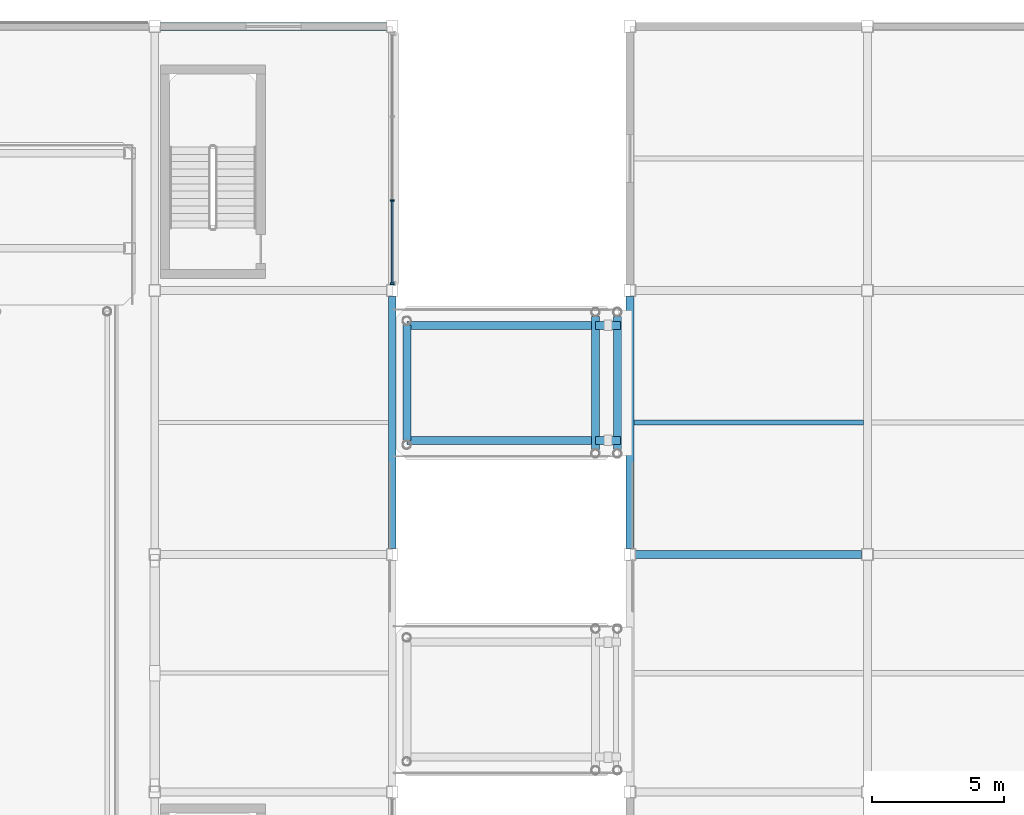
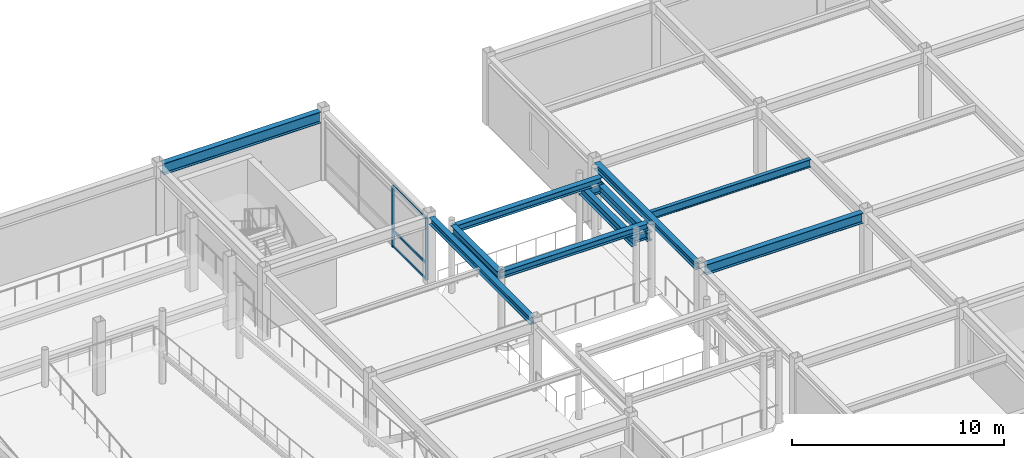
# One storey, part 37 of 105: 12 beams, 5 members, 1 element without a shape of its own.
"""IFC4 building model written with IfcOpenShell, lengths in metres."""

from ifc_helpers import new_model, si_unit, direction, frame, origin, origin_2d, place, context, subcontext, project, spatial, rectangle, i_section, extrude, material, material_profile, profile_set, type_object, element, aggregate, save


model = new_model("IFC4")

# Units and contexts
model_context = context("Model", 3, precision=1e-05, world=origin(), true_north=direction((0.0, 1.0)))
body_context = subcontext(model_context, "Body", "Model", "MODEL_VIEW")
ifc_project = project(units=[si_unit("LENGTHUNIT", "METRE"), si_unit("AREAUNIT", "SQUARE_METRE"), si_unit("VOLUMEUNIT", "CUBIC_METRE"), si_unit("PLANEANGLEUNIT", "RADIAN"), si_unit("MASSUNIT", "GRAM", prefix="KILO")], contexts=[model_context])

# Site, building, storey
site_placement = place(None, origin())
site = spatial("IfcSite", under=ifc_project, at=site_placement, CompositionType="ELEMENT")
building_placement = place(site_placement, origin())
building = spatial("IfcBuilding", under=site, at=building_placement, Name="Suzunagisa Mobility Hub", CompositionType="ELEMENT")
storey_placement = place(building_placement, frame((0.0, 0.0, 5.10009765625)))
storey = spatial("IfcBuildingStorey", under=building, at=storey_placement, Name="L01", CompositionType="ELEMENT", Elevation=5.10009765625)

# Curtain wall, members
ifc_material_1 = material(Name="Thermally Broken Anodized Aluminum and Low-E Glazing", Category="aluminium")
curtain_wall_type = type_object("IfcCurtainWallType", Name="Unitised Curtain Wall CW-03 9500x3600", PredefinedType="USERDEFINED", material=ifc_material_1)
curtain_wall_placement = place(storey_placement, origin())
curtain_wall = element("IfcCurtainWall", 1, at=curtain_wall_placement, inside=storey, type_object=curtain_wall_type, Name="L01 Unitised Curtain Wall CW-57", ObjectType="UNITISED CURTAIN WALL", PredefinedType="USERDEFINED")
ifc_material_2 = material(Name="Anodized Aluminum 6063-T6", Category="aluminium")
ifc_material_profile_1 = material_profile(ifc_material_2, rectangle(XDim=0.06494140625, YDim=0.139892578125, at=origin_2d()), Name="TRAN-65x140")
ifc_profile_set_1 = profile_set([ifc_material_profile_1], Name="Anodized Aluminum 6063-T6")
member_type_1 = type_object("IfcMemberType", Name="Curtain Wall Framing CM-01 TRAN-65x140", PredefinedType="USERDEFINED", material=ifc_profile_set_1)
member_1_placement = place(storey_placement, frame((36.0, 108.282958984375, 0.032470703125), z_axis=(0.0, 1.0, 0.0), x_axis=(-1.0, 0.0, 0.0)))
member_1 = element("IfcMember", 2, at=member_1_placement, type_object=member_type_1, Name="Curtain Wall Transom 57-T1.1", ObjectType="TRANSOM", PredefinedType="USERDEFINED", context=body_context, shape_type="SweptSolid", body=[
    extrude(rectangle(XDim=0.06494140625, YDim=0.139892578125, at=origin_2d()), origin(), (0.0, 0.0, 1.0), 3.097412109375),
])
member_2_placement = place(storey_placement, frame((36.0, 108.282958984375, 0.949951171875), z_axis=(0.0, 1.0, 0.0), x_axis=(-1.0, 0.0, 0.0)))
member_2 = element("IfcMember", 3, at=member_2_placement, type_object=member_type_1, Name="Curtain Wall Transom 57-T1.2", ObjectType="TRANSOM", PredefinedType="USERDEFINED", context=body_context, shape_type="SweptSolid", body=[
    extrude(rectangle(XDim=0.06494140625, YDim=0.139892578125, at=origin_2d()), origin(), (0.0, 0.0, 1.0), 3.097412109375),
])
member_3_placement = place(storey_placement, frame((36.0, 108.282958984375, 3.517333984375), z_axis=(0.0, 1.0, 0.0), x_axis=(-1.0, 0.0, 0.0)))
member_3 = element("IfcMember", 4, at=member_3_placement, type_object=member_type_1, Name="Curtain Wall Transom 57-T1.3", ObjectType="TRANSOM", PredefinedType="USERDEFINED", context=body_context, shape_type="SweptSolid", body=[
    extrude(rectangle(XDim=0.06494140625, YDim=0.139892578125, at=origin_2d()), origin(), (0.0, 0.0, 1.0), 3.097412109375),
])
ifc_material_profile_2 = material_profile(ifc_material_2, rectangle(XDim=0.06005859375, YDim=0.14990234375, at=origin_2d()), Name="MULL-60x150")
ifc_profile_set_2 = profile_set([ifc_material_profile_2], Name="Anodized Aluminum 6063-T6")
member_type_2 = type_object("IfcMemberType", Name="Curtain Wall Framing CM-03 MULL-60x150", PredefinedType="MULLION", material=ifc_profile_set_2)
member_4_placement = place(storey_placement, frame((36.0, 108.2548828125, 0.0), z_axis=(0.0, 0.0, 1.0), x_axis=(0.0, 1.0, 0.0)))
member_4 = element("IfcMember", 5, at=member_4_placement, type_object=member_type_2, Name="Curtain Wall Mullion 57-M1", PredefinedType="MULLION", context=body_context, shape_type="SweptSolid", body=[
    extrude(rectangle(XDim=0.06005859375, YDim=0.14990234375, at=origin_2d()), origin(), (0.0, 0.0, 1.0), 3.5498046875),
])
member_5_placement = place(storey_placement, frame((36.0, 111.408203125, 0.0), z_axis=(0.0, 0.0, 1.0), x_axis=(0.0, 1.0, 0.0)))
member_5 = element("IfcMember", 6, at=member_5_placement, type_object=member_type_2, Name="Curtain Wall Mullion 57-M2", PredefinedType="MULLION", context=body_context, shape_type="SweptSolid", body=[
    extrude(rectangle(XDim=0.06005859375, YDim=0.14990234375, at=origin_2d()), origin(), (0.0, 0.0, 1.0), 3.5498046875),
])
aggregate(curtain_wall, [member_4, member_5, member_1, member_2, member_3])

# Beams
ifc_material_3 = material(Name="Steel SN400B", Category="steel")
ifc_material_profile_3 = material_profile(ifc_material_3, i_section(OverallWidth=0.199951171875, OverallDepth=0.449951171875, WebThickness=0.009033203125, FlangeThickness=0.013916015625, FilletRadius=0.012939453125, at=origin_2d()), Name="H-450x200x9x14")
ifc_profile_set_3 = profile_set([ifc_material_profile_3], Name="Steel SN400B")
beam_type_1 = type_object("IfcBeamType", Name="Steel Beam BM-05 H-450x200x9x14", PredefinedType="JOIST", material=ifc_profile_set_3)
beam_1_placement = place(storey_placement, frame((45.14990234375, 103.0, 3.71484375), z_axis=(1.0, 0.0, 0.0), x_axis=(0.0, 1.0, 0.0)))
element("IfcBeam", 7, at=beam_1_placement, inside=storey, type_object=beam_type_1, Name="L01 Composite Floor Joist J-888", PredefinedType="JOIST", context=body_context, shape_type="SweptSolid", body=[
    extrude(i_section(OverallWidth=0.199951171875, OverallDepth=0.449951171875, WebThickness=0.009033203125, FlangeThickness=0.013916015625, FilletRadius=0.012939453125, at=origin_2d()), origin(), (0.0, 0.0, 1.0), 8.7001953125),
])
ifc_material_4 = material(Name="Steel SN490B", Category="steel")
ifc_material_profile_4 = material_profile(ifc_material_4, i_section(OverallWidth=0.300048828125, OverallDepth=0.488037109375, WebThickness=0.010986328125, FlangeThickness=0.01806640625, FilletRadius=0.012939453125, at=origin_2d()), Name="H-488x300x11x18")
ifc_profile_set_4 = profile_set([ifc_material_profile_4], Name="Steel SN490B")
beam_type_2 = type_object("IfcBeamType", Name="Steel Beam BM-06 H-488x300x11x18", PredefinedType="BEAM", material=ifc_profile_set_4)
beam_2_placement = place(storey_placement, frame((36.550048828125, 102.31005859375, 3.69580078125), z_axis=(0.0, 1.0, 0.0), x_axis=(-1.0, 0.0, 0.0)))
element("IfcBeam", 8, at=beam_2_placement, inside=storey, type_object=beam_type_2, Name="L02 Skybridge Fixed Crosshead VRL-L02-N", PredefinedType="BEAM", context=body_context, shape_type="SweptSolid", body=[
    extrude(i_section(OverallWidth=0.300048828125, OverallDepth=0.488037109375, WebThickness=0.010986328125, FlangeThickness=0.01806640625, FilletRadius=0.012939453125, at=origin_2d()), origin(), (0.0, 0.0, 1.0), 4.3798828125),
])
for number, where, z_axis, x_axis, name in (
    (9, (43.699951171875, 101.97998046875, 3.305908203125), (0.0, 1.0, 0.0), (-1.0, 0.0, 0.0), "L02 Skybridge Seat Crosshead VRL-L02-N-W"),
    (10, (44.530029296875, 101.97998046875, 3.305908203125), (0.0, 1.0, 0.0), (-1.0, 0.0, 0.0), "L02 Skybridge Seat Crosshead VRL-L02-N-E"),
):
    element("IfcBeam", number, at=place(storey_placement, frame(where, z_axis=z_axis, x_axis=x_axis)), inside=storey, type_object=beam_type_2, Name=name, PredefinedType="BEAM", context=body_context, shape_type="SweptSolid", body=[
        extrude(i_section(OverallWidth=0.300048828125, OverallDepth=0.488037109375, WebThickness=0.010986328125, FlangeThickness=0.01806640625, FilletRadius=0.012939453125, at=origin_2d()), origin(), (0.0, 0.0, 1.0), 5.0400390625),
    ])
for number, where, z_axis, x_axis, name in (
    (11, (43.699951171875, 102.320068359375, 3.305908203125), (1.0, 0.0, 0.0), (0.0, 1.0, 0.0), "L02 Skybridge 950mm Bearing Seat VRL-L02-N-A"),
    (12, (43.699951171875, 106.679931640625, 3.305908203125), (1.0, 0.0, 0.0), (0.0, 1.0, 0.0), "L02 Skybridge 950mm Bearing Seat VRL-L02-N-B"),
):
    element("IfcBeam", number, at=place(storey_placement, frame(where, z_axis=z_axis, x_axis=x_axis)), inside=storey, type_object=beam_type_2, Name=name, PredefinedType="BEAM", context=body_context, shape_type="SweptSolid", body=[
        extrude(i_section(OverallWidth=0.300048828125, OverallDepth=0.488037109375, WebThickness=0.010986328125, FlangeThickness=0.01806640625, FilletRadius=0.012939453125, at=origin_2d()), origin(), (0.0, 0.0, 1.0), 0.949951171875),
    ])
ifc_material_profile_5 = material_profile(ifc_material_4, i_section(OverallWidth=0.300048828125, OverallDepth=0.64990234375, WebThickness=0.012939453125, FlangeThickness=0.02197265625, FilletRadius=0.01611328125, at=origin_2d()), Name="H-650x300x13x22")
ifc_profile_set_5 = profile_set([ifc_material_profile_5], Name="Steel SN490B")
beam_type_3 = type_object("IfcBeamType", Name="Steel Beam BM-10 H-650x300x13x22", PredefinedType="BEAM", material=ifc_profile_set_5)
beam_3_placement = place(storey_placement, frame((27.220947265625, 118.0, 3.614990234375), z_axis=(1.0, 0.0, 0.0), x_axis=(0.0, 1.0, 0.0)))
element("IfcBeam", 13, at=beam_3_placement, inside=storey, type_object=beam_type_3, Name="L01 Primary Girder GX-498", PredefinedType="BEAM", context=body_context, shape_type="SweptSolid", body=[
    extrude(i_section(OverallWidth=0.300048828125, OverallDepth=0.64990234375, WebThickness=0.012939453125, FlangeThickness=0.02197265625, FilletRadius=0.01611328125, at=origin_2d()), origin(), (0.0, 0.0, 1.0), 8.55810546875),
])
ifc_material_profile_6 = material_profile(ifc_material_4, i_section(OverallWidth=0.300048828125, OverallDepth=0.389892578125, WebThickness=0.010009765625, FlangeThickness=0.01611328125, FilletRadius=0.012939453125, at=origin_2d()), Name="H-390x300x10x16")
ifc_profile_set_6 = profile_set([ifc_material_profile_6], Name="Steel SN490B")
beam_type_4 = type_object("IfcBeamType", Name="Steel Beam BM-13 H-390x300x10x16", PredefinedType="SPANDREL", material=ifc_profile_set_6)
for number, where, z_axis, x_axis, name in (
    (14, (36.0, 98.220947265625, 3.744873046875), (0.0, 1.0, 0.0), (-1.0, 0.0, 0.0), "L01 Primary Girder GY-512"),
    (15, (45.0, 98.220947265625, 3.744873046875), (0.0, 1.0, 0.0), (-1.0, 0.0, 0.0), "L01 Primary Girder GY-848"),
):
    element("IfcBeam", number, at=place(storey_placement, frame(where, z_axis=z_axis, x_axis=x_axis)), inside=storey, type_object=beam_type_4, Name=name, PredefinedType="SPANDREL", context=body_context, shape_type="SweptSolid", body=[
        extrude(i_section(OverallWidth=0.300048828125, OverallDepth=0.389892578125, WebThickness=0.010009765625, FlangeThickness=0.01611328125, FilletRadius=0.012939453125, at=origin_2d()), origin(), (0.0, 0.0, 1.0), 9.55810546875),
    ])
ifc_material_profile_7 = material_profile(ifc_material_4, i_section(OverallWidth=0.300048828125, OverallDepth=0.587890625, WebThickness=0.011962890625, FlangeThickness=0.02001953125, FilletRadius=0.012939453125, at=origin_2d()), Name="H-588x300x12x20")
ifc_profile_set_7 = profile_set([ifc_material_profile_7], Name="Steel SN490B")
beam_type_5 = type_object("IfcBeamType", Name="Steel Beam BM-16 H-588x300x12x20", PredefinedType="BEAM", material=ifc_profile_set_7)
beam_4_placement = place(storey_placement, frame((45.220947265625, 98.0, 3.64599609375), z_axis=(1.0, 0.0, 0.0), x_axis=(0.0, 1.0, 0.0)))
element("IfcBeam", 16, at=beam_4_placement, inside=storey, type_object=beam_type_5, Name="L01 Primary Girder GX-820", PredefinedType="BEAM", context=body_context, shape_type="SweptSolid", body=[
    extrude(i_section(OverallWidth=0.300048828125, OverallDepth=0.587890625, WebThickness=0.011962890625, FlangeThickness=0.02001953125, FilletRadius=0.012939453125, at=origin_2d()), origin(), (0.0, 0.0, 1.0), 8.55810546875),
])
ifc_material_profile_8 = material_profile(ifc_material_4, i_section(OverallWidth=0.300048828125, OverallDepth=0.389892578125, WebThickness=0.010009765625, FlangeThickness=0.01611328125, FilletRadius=0.012939453125, at=origin_2d()), Name="H-390x300x10x16")
ifc_profile_set_8 = profile_set([ifc_material_profile_8], Name="Steel SN490B")
beam_type_6 = type_object("IfcBeamType", Name="Steel Beam BM-17 H-390x300x10x16", PredefinedType="T_BEAM", material=ifc_profile_set_8)
for number, where, z_axis, x_axis, name in (
    (17, (36.550048828125, 102.320068359375, 3.744873046875), (1.0, 0.0, 0.0), (0.0, 1.0, 0.0), "L02 Bridge Girder VRL-L02-N-A"),
    (18, (36.550048828125, 106.679931640625, 3.744873046875), (1.0, 0.0, 0.0), (0.0, 1.0, 0.0), "L02 Bridge Girder VRL-L02-N-B"),
):
    element("IfcBeam", number, at=place(storey_placement, frame(where, z_axis=z_axis, x_axis=x_axis)), inside=storey, type_object=beam_type_6, Name=name, PredefinedType="T_BEAM", context=body_context, shape_type="SweptSolid", body=[
        extrude(i_section(OverallWidth=0.300048828125, OverallDepth=0.389892578125, WebThickness=0.010009765625, FlangeThickness=0.01611328125, FilletRadius=0.012939453125, at=origin_2d()), origin(), (0.0, 0.0, 1.0), 8.02001953125),
    ])

save(model, "model.ifc")
